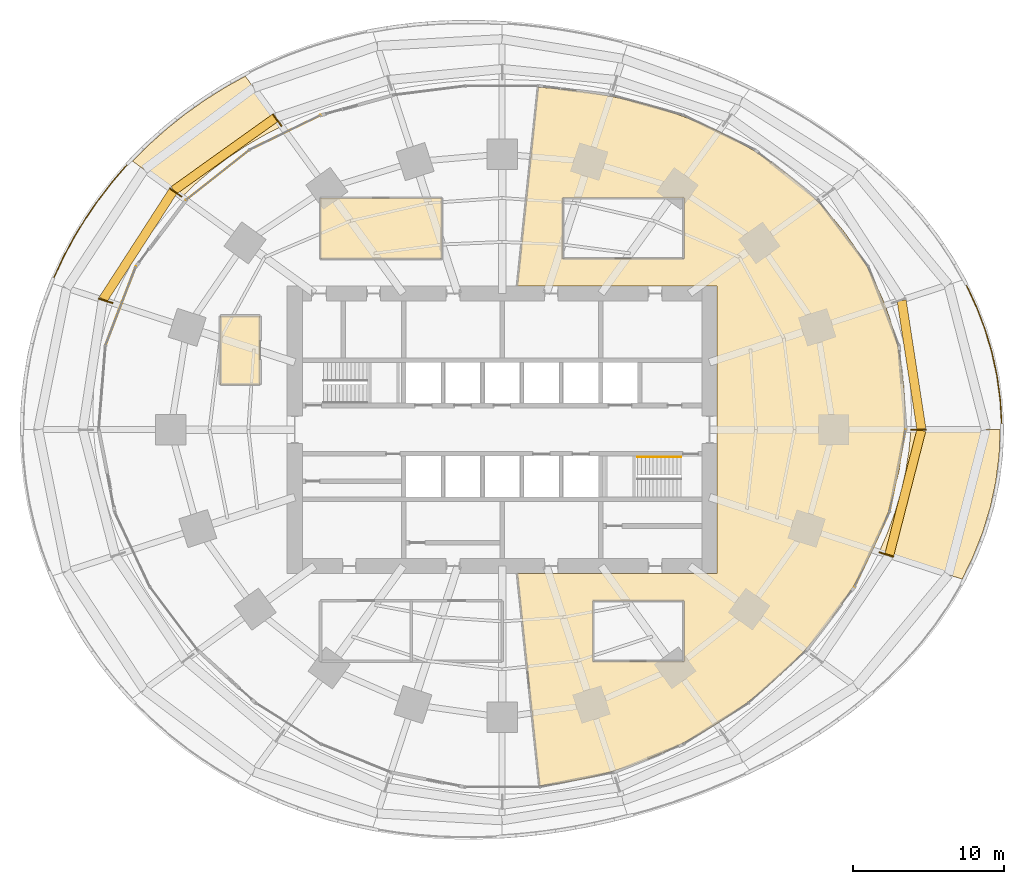
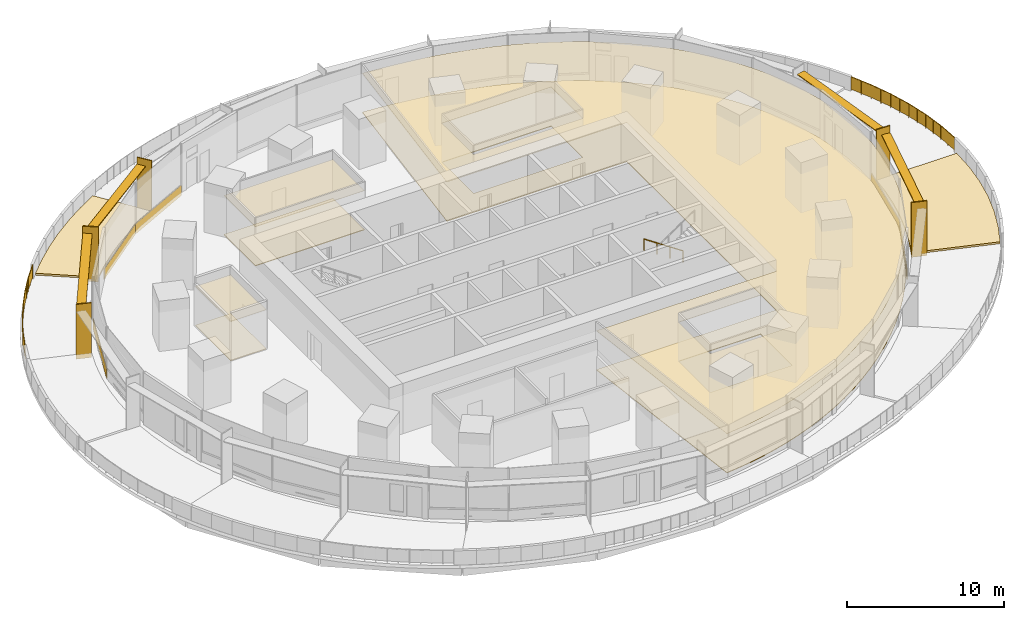
# One storey, part 19 of 20: 13 coverings, 9 shading devices, 3 railings.
"""IFC4 building model written with IfcOpenShell, lengths in metres."""

from ifc_helpers import new_model, si_unit, direction, frame, origin, origin_2d, place, context, subcontext, project, spatial, polyline, rectangle, circle, outline, extrude, material, layer, layer_set, type_object, element, save


model = new_model("IFC4")

# Units and contexts
model_context = context("Model", 3, precision=1e-05, world=origin(), true_north=direction((0.0, 1.0)))
body_context = subcontext(model_context, "Body", "Model", "MODEL_VIEW")
ifc_project = project(units=[si_unit("LENGTHUNIT", "METRE"), si_unit("AREAUNIT", "SQUARE_METRE"), si_unit("VOLUMEUNIT", "CUBIC_METRE"), si_unit("PLANEANGLEUNIT", "RADIAN"), si_unit("MASSUNIT", "GRAM", prefix="KILO")], contexts=[model_context])

# Site, building, storey
site_placement = place(None, origin())
site = spatial("IfcSite", under=ifc_project, at=site_placement, CompositionType="ELEMENT")
building_placement = place(site_placement, origin())
building = spatial("IfcBuilding", under=site, at=building_placement, Name="Marramba Exchange Tower", CompositionType="ELEMENT")
storey_placement = place(building_placement, frame((0.0, 0.0, 19.60009765625)))
storey = spatial("IfcBuildingStorey", under=building, at=storey_placement, Name="L04", CompositionType="ELEMENT", Elevation=19.60009765625)

# Shading devices
ifc_material_1 = material(Name="Aluminium blade, timber-look bronze finish", Category="wood")
ifc_layer_1 = layer(ifc_material_1, 0.080078125)
ifc_layer_set_1 = layer_set([ifc_layer_1], Name="Floor-edge blade 1000x80")
shading_device_type_1 = type_object("IfcShadingDeviceType", Name="Floor-edge blade 1000x80", PredefinedType="USERDEFINED", material=ifc_layer_set_1)
for number, where, z_axis, x_axis, name in (
    (1, (27.5, 0.0, -0.2001953125), (0.0, 0.0, 1.0), (1.0, 0.0, 0.0), "Floor-edge blade FB1 L04 TC01"),
    (2, (-14.857666015625, 20.449951171875, -0.2001953125), (0.0, 0.0, 1.0), (-0.587785252292, 0.809016994375, 0.0), "Floor-edge blade FB1 L04 TC08"),
    (3, (-21.56298828125, 15.66650390625, -0.2001953125), (0.0, 0.0, 1.0), (-0.809016994375, 0.587785252292, 0.0), "Floor-edge blade FB1 L04 TC09"),
    (4, (-26.193115234375, 8.5107421875, -0.2001953125), (0.0, 0.0, 1.0), (-0.951056516295, 0.309016994375, 0.0), "Floor-edge blade FB1 L04 TC10"),
    (5, (25.3740234375, -8.24462890625, -0.2001953125), (0.0, 0.0, 1.0), (0.951056516295, -0.309016994375, 0.0), "Floor-edge blade FB1 L04 TC20"),
):
    element("IfcShadingDevice", number, at=place(storey_placement, frame(where, z_axis=z_axis, x_axis=x_axis)), inside=storey, type_object=shading_device_type_1, Name=name, ObjectType="FIN", PredefinedType="USERDEFINED", context=body_context, shape_type="SweptSolid", body=[
        extrude(rectangle(XDim=1.0, YDim=0.080078125, at=origin_2d()), origin(), (0.0, 0.0, 1.0), 4.239990234375),
    ])

# Coverings
ifc_material_2 = material(Name="Extensive green roof: growing medium on drainage cell, filter fabric and root-barrier membrane")
ifc_layer_2 = layer(ifc_material_2, 0.14990234375)
ifc_layer_set_2 = layer_set([ifc_layer_2], Name="Planted roof build-up 150")
covering_type_1 = type_object("IfcCoveringType", Name="Planted roof build-up 150", PredefinedType="ROOFING", material=ifc_layer_set_2)
covering_1_placement = place(storey_placement, origin())
element("IfcCovering", 6, at=covering_1_placement, inside=storey, type_object=covering_type_1, Name="Planted roof build-up L04 bay 08", PredefinedType="ROOFING", context=body_context, shape_type="SweptSolid", body=[
    extrude(outline(polyline([(-14.563720703125, 20.04541015625), (-15.740478515625, 19.437744140625), (-16.89453125, 18.763427734375), (-18.020263671875, 18.020263671875), (-19.11083984375, 17.20751953125), (-20.159423828125, 16.32470703125), (-21.158447265625, 15.37255859375), (-24.413330078125, 17.7373046875), (-23.2900390625, 18.85986328125), (-22.112060546875, 19.90966796875), (-20.885009765625, 20.885009765625), (-19.61474609375, 21.784423828125), (-18.306884765625, 22.607177734375), (-16.967041015625, 23.35302734375), (-16.967041015625, 23.35302734375), (-14.563720703125, 20.04541015625)])), origin(), (0.0, 0.0, 1.0), 0.14990234375),
])
covering_2_placement = place(storey_placement, origin())
element("IfcCovering", 7, at=covering_2_placement, inside=storey, type_object=covering_type_1, Name="Planted roof build-up L04 bay 20", PredefinedType="ROOFING", context=body_context, shape_type="SweptSolid", body=[
    extrude(outline(polyline([(24.8984375, -8.090087890625), (25.44921875, -6.819091796875), (25.927001953125, -5.510986328125), (26.326171875, -4.169677734375), (26.64111328125, -2.800048828125), (26.8671875, -1.407958984375), (27.0, 0.0), (32.89990234375, 0.0), (32.82666015625, -1.720458984375), (32.607666015625, -3.42724609375), (32.2470703125, -5.107421875), (31.750732421875, -6.748779296875), (31.126953125, -8.34033203125), (30.385498046875, -9.872802734375), (24.8984375, -8.090087890625)])), origin(), (0.0, 0.0, 1.0), 0.14990234375),
])
ifc_material_3 = material(Name="Steel raised access floor panels", Category="steel")
ifc_layer_3 = layer(ifc_material_3, 0.050048828125)
ifc_layer_set_3 = layer_set([ifc_layer_3], Name="Raised access floor 300")
covering_type_2 = type_object("IfcCoveringType", Name="Raised access floor 300", PredefinedType="FLOORING", material=ifc_layer_set_3)
covering_3_placement = place(storey_placement, frame((0.0, 0.0, 0.25)))
element("IfcCovering", 8, at=covering_3_placement, inside=storey, type_object=covering_type_2, Name="Raised access floor RAF1 L04 Market Operations Office", PredefinedType="FLOORING", context=body_context, shape_type="SweptSolid", body=[
    extrude(outline(polyline([(14.199951171875, 9.5), (0.99853515625, 9.5), (2.378173828125, 22.62646484375), (3.5693359375, 22.535888671875), (4.7626953125, 22.406982421875), (5.95849609375, 22.23779296875), (7.15673828125, 22.0263671875), (8.356689453125, 21.76953125), (9.556640625, 21.464599609375), (10.755126953125, 21.10791015625), (11.94921875, 20.69677734375), (13.135986328125, 20.2275390625), (14.31103515625, 19.697509765625), (15.4697265625, 19.103759765625), (16.60693359375, 18.44384765625), (17.71630859375, 17.71630859375), (18.791259765625, 16.919677734375), (19.8251953125, 16.05419921875), (20.810791015625, 15.119873046875), (21.740478515625, 14.118408203125), (22.607177734375, 13.05224609375), (23.40380859375, 11.9248046875), (24.12353515625, 10.740478515625), (24.76025390625, 9.50439453125), (25.30859375, 8.22314453125), (25.763916015625, 6.9033203125), (26.123291015625, 5.552734375), (26.3837890625, 4.1787109375), (26.544921875, 2.7900390625), (26.6064453125, 1.394287109375), (26.570068359375, 0.0), (26.43798828125, -1.385498046875), (26.213623046875, -2.755126953125), (25.9013671875, -4.102294921875), (25.50634765625, -5.421630859375), (25.033935546875, -6.707763671875), (24.489501953125, -7.95703125), (23.879150390625, -9.166259765625), (23.208251953125, -10.3330078125), (22.482177734375, -11.455322265625), (21.7060546875, -12.531982421875), (20.88427734375, -13.5625), (20.020751953125, -14.5458984375), (19.119384765625, -15.482421875), (18.1826171875, -16.371826171875), (17.213623046875, -17.213623046875), (16.21435546875, -18.0078125), (15.1865234375, -18.75390625), (14.132080078125, -19.451171875), (13.052490234375, -20.09912109375), (11.94921875, -20.69677734375), (10.82373046875, -21.242919921875), (9.677734375, -21.736328125), (8.512451171875, -22.17578125), (7.330078125, -22.56005859375), (6.1328125, -22.8876953125), (4.92236328125, -23.15771484375), (3.701416015625, -23.368896484375), (2.47216796875, -23.5205078125), (0.99853515625, -9.5), (14.199951171875, -9.5), (14.199951171875, 9.5)]), holes=[polyline([(12.0, -15.300048828125), (12.0, -11.300048828125), (6.0, -11.300048828125), (6.0, -15.300048828125), (12.0, -15.300048828125)]), polyline([(12.0, 11.300048828125), (12.0, 15.300048828125), (4.0, 15.300048828125), (4.0, 11.300048828125), (12.0, 11.300048828125)])]), origin(), (0.0, 0.0, 1.0), 0.0498046875),
])
covering_4_placement = place(storey_placement, frame((0.0, 0.0, 0.25)))
element("IfcCovering", 9, at=covering_4_placement, inside=storey, type_object=covering_type_2, Name="Raised access floor RAF1 L04 Market Surveillance Office", PredefinedType="FLOORING", context=body_context, shape_type="SweptSolid", body=[
    extrude(outline(polyline([(-4.0, 11.300048828125), (-12.0, 11.300048828125), (-12.0, 15.300048828125), (-4.0, 15.300048828125), (-4.0, 11.300048828125)])), origin(), (0.0, 0.0, 1.0), 0.0498046875),
])
covering_5_placement = place(storey_placement, frame((0.0, 0.0, 0.25)))
element("IfcCovering", 10, at=covering_5_placement, inside=storey, type_object=covering_type_2, Name="Raised access floor RAF1 L04 Data Room", PredefinedType="FLOORING", context=body_context, shape_type="SweptSolid", body=[
    extrude(outline(polyline([(-16.0, 3.0), (-18.60009765625, 3.0), (-18.60009765625, 7.5), (-16.0, 7.5), (-16.0, 3.0)])), origin(), (0.0, 0.0, 1.0), 0.0498046875),
])

# Shading devices
ifc_material_4 = material(Name="Aluminium sunshade, bronze anodised", Category="aluminium")
ifc_layer_4 = layer(ifc_material_4, 0.06005859375)
ifc_layer_set_4 = layer_set([ifc_layer_4], Name="SUNSHADE blade 600x60")
shading_device_type_2 = type_object("IfcShadingDeviceType", Name="SUNSHADE blade 600x60", PredefinedType="USERDEFINED", material=ifc_layer_set_4)
shading_device_1_placement = place(storey_placement, frame((27.04150390625, 4.2861328125, 3.4599609375), z_axis=(0.0, 0.0, 1.0), x_axis=(-0.151825486228, 0.988407315701, 0.0)))
element("IfcShadingDevice", 11, at=shading_device_1_placement, inside=storey, type_object=shading_device_type_2, Name="Sunshade SS1 L04 bay 01", ObjectType="SUNSHADE", PredefinedType="USERDEFINED", context=body_context, shape_type="SweptSolid", body=[
    extrude(rectangle(XDim=8.593017578125, YDim=0.60009765625, at=origin_2d()), origin(), (0.0, 0.0, 1.0), 0.06005859375),
])
shading_device_2_placement = place(storey_placement, frame((-18.35009765625, 18.19775390625, 3.4599609375), z_axis=(0.0, 0.0, 1.0), x_axis=(-0.813362978246, -0.581756534659, 0.0)))
element("IfcShadingDevice", 12, at=shading_device_2_placement, inside=storey, type_object=shading_device_type_2, Name="Sunshade SS1 L04 bay 08", ObjectType="SUNSHADE", PredefinedType="USERDEFINED", context=body_context, shape_type="SweptSolid", body=[
    extrude(rectangle(XDim=8.218505859375, YDim=0.60009765625, at=origin_2d()), origin(), (0.0, 0.0, 1.0), 0.06005859375),
])
shading_device_3_placement = place(storey_placement, frame((-24.053955078125, 12.17822265625, 3.4599609375), z_axis=(0.0, 0.0, 1.0), x_axis=(-0.542596596948, -0.839993412462, 0.0)))
element("IfcShadingDevice", 13, at=shading_device_3_placement, inside=storey, type_object=shading_device_type_2, Name="Sunshade SS1 L04 bay 09", ObjectType="SUNSHADE", PredefinedType="USERDEFINED", context=body_context, shape_type="SweptSolid", body=[
    extrude(rectangle(XDim=8.50537109375, YDim=0.60009765625, at=origin_2d()), origin(), (0.0, 0.0, 1.0), 0.06005859375),
])
shading_device_4_placement = place(storey_placement, frame((26.632080078125, -4.153076171875, 3.4599609375), z_axis=(0.0, 0.0, 1.0), x_axis=(0.249024641331, 0.968497149201, 0.0)))
element("IfcShadingDevice", 14, at=shading_device_4_placement, inside=storey, type_object=shading_device_type_2, Name="Sunshade SS1 L04 bay 20", ObjectType="SUNSHADE", PredefinedType="USERDEFINED", context=body_context, shape_type="SweptSolid", body=[
    extrude(rectangle(XDim=8.49658203125, YDim=0.60009765625, at=origin_2d()), origin(), (0.0, 0.0, 1.0), 0.06005859375),
])

# Coverings
ifc_material_5 = material(Name="Aluminium spandrel panel, bronze anodised, insulated", Category="aluminium")
ifc_layer_5 = layer(ifc_material_5, 0.050048828125)
ifc_layer_set_5 = layer_set([ifc_layer_5], Name="Spandrel panel 800")
covering_type_3 = type_object("IfcCoveringType", Name="Spandrel panel 800", PredefinedType="CLADDING", material=ifc_layer_set_5)
covering_6_placement = place(storey_placement, frame((-14.324951171875, 19.634765625, 0.0), z_axis=(0.0, 0.0, 1.0), x_axis=(-0.899963432359, -0.435965389012, 0.0)))
element("IfcCovering", 15, at=covering_6_placement, inside=storey, type_object=covering_type_3, Name="Spandrel panel SP1 L04 F11", PredefinedType="CLADDING", context=body_context, shape_type="SweptSolid", body=[
    extrude(rectangle(XDim=5.1904296875, YDim=0.050048828125, at=origin_2d()), origin(), (0.0, 0.0, 1.0), 0.800048828125),
])
covering_7_placement = place(storey_placement, frame((-18.767822265625, 16.8349609375, 0.0), z_axis=(0.0, 0.0, 1.0), x_axis=(-0.784087946735, -0.620649733574, 0.0)))
element("IfcCovering", 16, at=covering_7_placement, inside=storey, type_object=covering_type_3, Name="Spandrel panel SP1 L04 F12", PredefinedType="CLADDING", context=body_context, shape_type="SweptSolid", body=[
    extrude(rectangle(XDim=5.375732421875, YDim=0.050048828125, at=origin_2d()), origin(), (0.0, 0.0, 1.0), 0.800048828125),
])
covering_8_placement = place(storey_placement, frame((-25.198974609375, 8.171142578125, 0.0), z_axis=(0.0, 0.0, 1.0), x_axis=(-0.359525512701, -0.933135255854, 0.0)))
element("IfcCovering", 17, at=covering_8_placement, inside=storey, type_object=covering_type_3, Name="Spandrel panel SP1 L04 F14", PredefinedType="CLADDING", context=body_context, shape_type="SweptSolid", body=[
    extrude(rectangle(XDim=5.57666015625, YDim=0.050048828125, at=origin_2d()), origin(), (0.0, 0.0, 1.0), 0.800048828125),
])
covering_9_placement = place(storey_placement, frame((24.432861328125, -7.90185546875, 0.0), z_axis=(0.0, 0.0, 1.0), x_axis=(0.423477213559, 0.905906755464, 0.0)))
element("IfcCovering", 18, at=covering_9_placement, inside=storey, type_object=covering_type_3, Name="Spandrel panel SP1 L04 F29", PredefinedType="CLADDING", context=body_context, shape_type="SweptSolid", body=[
    extrude(rectangle(XDim=5.439208984375, YDim=0.050048828125, at=origin_2d()), origin(), (0.0, 0.0, 1.0), 0.800048828125),
])
covering_10_placement = place(storey_placement, frame((26.117431640625, -2.718994140625, 0.0), z_axis=(0.0, 0.0, 1.0), x_axis=(0.19224858127, 0.981346260501, 0.0)))
element("IfcCovering", 19, at=covering_10_placement, inside=storey, type_object=covering_type_3, Name="Spandrel panel SP1 L04 F30", PredefinedType="CLADDING", context=body_context, shape_type="SweptSolid", body=[
    extrude(rectangle(XDim=5.54150390625, YDim=0.050048828125, at=origin_2d()), origin(), (0.0, 0.0, 1.0), 0.800048828125),
])

# Railing
ifc_material_6 = material(Name="Stainless steel handrail", Category="steel")
railing_type_1 = type_object("IfcRailingType", Name="Stair handrail 900", PredefinedType="HANDRAIL", material=ifc_material_6)
railing_1_placement = place(storey_placement, frame((11.800048828125, -1.800048828125, 0.1748046875)))
element("IfcRailing", 20, at=railing_1_placement, inside=storey, type_object=railing_type_1, Name="Handrail HR1 ST2 L04 flight 1", PredefinedType="HANDRAIL", context=body_context, shape_type="SweptSolid", body=[
    extrude(circle(Radius=0.02392578125, at=origin_2d()), frame((0.0, 0.0, 0.8759765625), z_axis=(-0.829590901723, 0.0, 0.558371682465), x_axis=(0.0, -1.0, 0.0)), (0.0, 0.0, 1.0), 3.447509765625),
    extrude(circle(Radius=0.02099609375, at=origin_2d()), origin(), (0.0, 0.0, 1.0), 0.851806640625),
    extrude(circle(Radius=0.02099609375, at=origin_2d()), frame((-0.953369140625, 0.0, 0.6416015625)), (0.0, 0.0, 1.0), 0.851806640625),
    extrude(circle(Radius=0.02099609375, at=origin_2d()), frame((-1.90673828125, 0.0, 1.283447265625)), (0.0, 0.0, 1.0), 0.851806640625),
    extrude(circle(Radius=0.02099609375, at=origin_2d()), frame((-2.860107421875, 0.0, 1.925048828125)), (0.0, 0.0, 1.0), 0.851806640625),
])

# Coverings
ifc_material_7 = material(Name="Mineral fibre ceiling tiles", Category="gypsum")
ifc_layer_6 = layer(ifc_material_7, 0.02001953125)
ifc_layer_set_6 = layer_set([ifc_layer_6], Name="Suspended ceiling 20")
covering_type_4 = type_object("IfcCoveringType", Name="Suspended ceiling 20", PredefinedType="CEILING", material=ifc_layer_set_6)
covering_11_placement = place(storey_placement, frame((0.0, 0.0, 3.2998046875)))
element("IfcCovering", 21, at=covering_11_placement, inside=storey, type_object=covering_type_4, Name="Ceiling CL1 L04 Market Operations Office", PredefinedType="CEILING", context=body_context, shape_type="SweptSolid", body=[
    extrude(outline(polyline([(14.199951171875, 9.5), (0.99853515625, 9.5), (2.378173828125, 22.62646484375), (3.5693359375, 22.535888671875), (4.7626953125, 22.406982421875), (5.95849609375, 22.23779296875), (7.15673828125, 22.0263671875), (8.356689453125, 21.76953125), (9.556640625, 21.464599609375), (10.755126953125, 21.10791015625), (11.94921875, 20.69677734375), (13.135986328125, 20.2275390625), (14.31103515625, 19.697509765625), (15.4697265625, 19.103759765625), (16.60693359375, 18.44384765625), (17.71630859375, 17.71630859375), (18.791259765625, 16.919677734375), (19.8251953125, 16.05419921875), (20.810791015625, 15.119873046875), (21.740478515625, 14.118408203125), (22.607177734375, 13.05224609375), (23.40380859375, 11.9248046875), (24.12353515625, 10.740478515625), (24.76025390625, 9.50439453125), (25.30859375, 8.22314453125), (25.763916015625, 6.9033203125), (26.123291015625, 5.552734375), (26.3837890625, 4.1787109375), (26.544921875, 2.7900390625), (26.6064453125, 1.394287109375), (26.570068359375, 0.0), (26.43798828125, -1.385498046875), (26.213623046875, -2.755126953125), (25.9013671875, -4.102294921875), (25.50634765625, -5.421630859375), (25.033935546875, -6.707763671875), (24.489501953125, -7.95703125), (23.879150390625, -9.166259765625), (23.208251953125, -10.3330078125), (22.482177734375, -11.455322265625), (21.7060546875, -12.531982421875), (20.88427734375, -13.5625), (20.020751953125, -14.5458984375), (19.119384765625, -15.482421875), (18.1826171875, -16.371826171875), (17.213623046875, -17.213623046875), (16.21435546875, -18.0078125), (15.1865234375, -18.75390625), (14.132080078125, -19.451171875), (13.052490234375, -20.09912109375), (11.94921875, -20.69677734375), (10.82373046875, -21.242919921875), (9.677734375, -21.736328125), (8.512451171875, -22.17578125), (7.330078125, -22.56005859375), (6.1328125, -22.8876953125), (4.92236328125, -23.15771484375), (3.701416015625, -23.368896484375), (2.47216796875, -23.5205078125), (0.99853515625, -9.5), (14.199951171875, -9.5), (14.199951171875, 9.5)]), holes=[polyline([(12.0, -15.300048828125), (12.0, -11.300048828125), (6.0, -11.300048828125), (6.0, -15.300048828125), (12.0, -15.300048828125)]), polyline([(12.0, 11.300048828125), (12.0, 15.300048828125), (4.0, 15.300048828125), (4.0, 11.300048828125), (12.0, 11.300048828125)])]), origin(), (0.0, 0.0, 1.0), 0.02001953125),
])
covering_12_placement = place(storey_placement, frame((0.0, 0.0, 3.2998046875)))
element("IfcCovering", 22, at=covering_12_placement, inside=storey, type_object=covering_type_4, Name="Ceiling CL1 L04 Market Surveillance Office", PredefinedType="CEILING", context=body_context, shape_type="SweptSolid", body=[
    extrude(outline(polyline([(-4.0, 11.300048828125), (-12.0, 11.300048828125), (-12.0, 15.300048828125), (-4.0, 15.300048828125), (-4.0, 11.300048828125)])), origin(), (0.0, 0.0, 1.0), 0.02001953125),
])
covering_13_placement = place(storey_placement, frame((0.0, 0.0, 3.2998046875)))
element("IfcCovering", 23, at=covering_13_placement, inside=storey, type_object=covering_type_4, Name="Ceiling CL1 L04 Data Room", PredefinedType="CEILING", context=body_context, shape_type="SweptSolid", body=[
    extrude(outline(polyline([(-16.0, 3.0), (-18.60009765625, 3.0), (-18.60009765625, 7.5), (-16.0, 7.5), (-16.0, 3.0)])), origin(), (0.0, 0.0, 1.0), 0.02001953125),
])

# Railings
ifc_material_8 = material(Name="Bronze anodised aluminium and laminated glass guard", Category="aluminium")
railing_type_2 = type_object("IfcRailingType", Name="Terrace guard 1100", PredefinedType="GUARDRAIL", material=ifc_material_8)
railing_2_placement = place(storey_placement, frame((32.99609375, 0.398193359375, 0.0)))
element("IfcRailing", 24, at=railing_2_placement, inside=storey, type_object=railing_type_2, Name="Terrace guard GR1 L04 bay 01", PredefinedType="GUARDRAIL", context=body_context, shape_type="SweptSolid", body=[
    extrude(circle(Radius=0.02392578125, at=origin_2d()), frame((0.0, 0.0, 1.076171875), z_axis=(-0.058874812399, 0.998265373768, 0.0), x_axis=(-0.998265373768, -0.058874812399, 0.0)), (0.0, 0.0, 1.0), 1.59228515625),
    extrude(circle(Radius=0.02392578125, at=origin_2d()), frame((-0.09375, 1.589599609375, 1.076171875), z_axis=(-0.136523198806, 0.99063687403, 0.0), x_axis=(-0.99063687403, -0.136523198806, 0.0)), (0.0, 0.0, 1.0), 1.591552734375),
    extrude(circle(Radius=0.02392578125, at=origin_2d()), frame((-0.31103515625, 3.166259765625, 1.076171875), z_axis=(-0.212601832945, 0.977138915727, 0.0), x_axis=(-0.977138915727, -0.212601832945, 0.0)), (0.0, 0.0, 1.0), 1.58935546875),
    extrude(circle(Radius=0.02392578125, at=origin_2d()), frame((-0.64892578125, 4.71923828125, 1.076171875), z_axis=(-0.285822479582, 0.95828258367, 0.0), x_axis=(-0.95828258367, -0.285822479582, 0.0)), (0.0, 0.0, 1.0), 1.586181640625),
    extrude(circle(Radius=0.02392578125, at=origin_2d()), frame((-1.102294921875, 6.2392578125, 1.076171875), z_axis=(-0.355635850829, 0.934624599294, 0.0), x_axis=(-0.934624599294, -0.355635850829, 0.0)), (0.0, 0.0, 1.0), 1.581787109375),
    extrude(circle(Radius=0.02392578125, at=origin_2d()), frame((-1.664794921875, 7.717529296875, 1.076171875), z_axis=(-0.421561898002, 0.906799628448, 0.0), x_axis=(-0.906799628448, -0.421561898002, 0.0)), (0.0, 0.0, 1.0), 1.575927734375),
    extrude(circle(Radius=0.02099609375, at=origin_2d()), origin(), (0.0, 0.0, 1.0), 1.052001953125),
    extrude(circle(Radius=0.02099609375, at=origin_2d()), frame((-0.046875, 0.794921875, 0.0)), (0.0, 0.0, 1.0), 1.052001953125),
    extrude(circle(Radius=0.02099609375, at=origin_2d()), frame((-0.09375, 1.589599609375, 0.0)), (0.0, 0.0, 1.0), 1.052001953125),
    extrude(circle(Radius=0.02099609375, at=origin_2d()), frame((-0.202392578125, 2.3779296875, 0.0)), (0.0, 0.0, 1.0), 1.052001953125),
    extrude(circle(Radius=0.02099609375, at=origin_2d()), frame((-0.31103515625, 3.166259765625, 0.0)), (0.0, 0.0, 1.0), 1.052001953125),
    extrude(circle(Radius=0.02099609375, at=origin_2d()), frame((-0.47998046875, 3.94287109375, 0.0)), (0.0, 0.0, 1.0), 1.052001953125),
    extrude(circle(Radius=0.02099609375, at=origin_2d()), frame((-0.64892578125, 4.71923828125, 0.0)), (0.0, 0.0, 1.0), 1.052001953125),
    extrude(circle(Radius=0.02099609375, at=origin_2d()), frame((-0.87548828125, 5.479248046875, 0.0)), (0.0, 0.0, 1.0), 1.052001953125),
    extrude(circle(Radius=0.02099609375, at=origin_2d()), frame((-1.102294921875, 6.2392578125, 0.0)), (0.0, 0.0, 1.0), 1.052001953125),
    extrude(circle(Radius=0.02099609375, at=origin_2d()), frame((-1.383544921875, 6.978515625, 0.0)), (0.0, 0.0, 1.0), 1.052001953125),
    extrude(circle(Radius=0.02099609375, at=origin_2d()), frame((-1.664794921875, 7.717529296875, 0.0)), (0.0, 0.0, 1.0), 1.052001953125),
    extrude(circle(Radius=0.02099609375, at=origin_2d()), frame((-1.9970703125, 8.43212890625, 0.0)), (0.0, 0.0, 1.0), 1.052001953125),
    extrude(circle(Radius=0.02099609375, at=origin_2d()), frame((-2.3291015625, 9.146484375, 0.0)), (0.0, 0.0, 1.0), 1.052001953125),
    extrude(rectangle(XDim=0.778076171875, YDim=0.02001953125, at=origin_2d()), frame((-0.0234375, 0.3974609375, 0.10009765625), z_axis=(0.0, 0.0, 1.0), x_axis=(-0.058874812399, 0.998265373768, 0.0)), (0.0, 0.0, 1.0), 0.951904296875),
    extrude(rectangle(XDim=0.778076171875, YDim=0.02001953125, at=origin_2d()), frame((-0.0703125, 1.192138671875, 0.10009765625), z_axis=(0.0, 0.0, 1.0), x_axis=(-0.058874812399, 0.998265373768, 0.0)), (0.0, 0.0, 1.0), 0.951904296875),
    extrude(rectangle(XDim=0.77783203125, YDim=0.02001953125, at=origin_2d()), frame((-0.14794921875, 1.98388671875, 0.10009765625), z_axis=(0.0, 0.0, 1.0), x_axis=(-0.136523198806, 0.99063687403, 0.0)), (0.0, 0.0, 1.0), 0.951904296875),
    extrude(rectangle(XDim=0.77783203125, YDim=0.02001953125, at=origin_2d()), frame((-0.2568359375, 2.77197265625, 0.10009765625), z_axis=(0.0, 0.0, 1.0), x_axis=(-0.136523198806, 0.99063687403, 0.0)), (0.0, 0.0, 1.0), 0.951904296875),
    extrude(rectangle(XDim=0.776611328125, YDim=0.02001953125, at=origin_2d()), frame((-0.3955078125, 3.554443359375, 0.10009765625), z_axis=(0.0, 0.0, 1.0), x_axis=(-0.212601832945, 0.977138915727, 0.0)), (0.0, 0.0, 1.0), 0.951904296875),
    extrude(rectangle(XDim=0.776611328125, YDim=0.02001953125, at=origin_2d()), frame((-0.564453125, 4.3310546875, 0.10009765625), z_axis=(0.0, 0.0, 1.0), x_axis=(-0.212601832945, 0.977138915727, 0.0)), (0.0, 0.0, 1.0), 0.951904296875),
    extrude(rectangle(XDim=0.775146484375, YDim=0.02001953125, at=origin_2d()), frame((-0.76220703125, 5.09912109375, 0.10009765625), z_axis=(0.0, 0.0, 1.0), x_axis=(-0.285822479582, 0.95828258367, 0.0)), (0.0, 0.0, 1.0), 0.951904296875),
    extrude(rectangle(XDim=0.775146484375, YDim=0.02001953125, at=origin_2d()), frame((-0.989013671875, 5.859375, 0.10009765625), z_axis=(0.0, 0.0, 1.0), x_axis=(-0.285822479582, 0.95828258367, 0.0)), (0.0, 0.0, 1.0), 0.951904296875),
    extrude(rectangle(XDim=0.77294921875, YDim=0.02001953125, at=origin_2d()), frame((-1.242919921875, 6.60888671875, 0.10009765625), z_axis=(0.0, 0.0, 1.0), x_axis=(-0.355635850829, 0.934624599294, 0.0)), (0.0, 0.0, 1.0), 0.951904296875),
    extrude(rectangle(XDim=0.77294921875, YDim=0.02001953125, at=origin_2d()), frame((-1.524169921875, 7.347900390625, 0.10009765625), z_axis=(0.0, 0.0, 1.0), x_axis=(-0.355635850829, 0.934624599294, 0.0)), (0.0, 0.0, 1.0), 0.951904296875),
    extrude(rectangle(XDim=0.77001953125, YDim=0.02001953125, at=origin_2d()), frame((-1.830810546875, 8.07470703125, 0.10009765625), z_axis=(0.0, 0.0, 1.0), x_axis=(-0.421561898002, 0.906799628448, 0.0)), (0.0, 0.0, 1.0), 0.951904296875),
    extrude(rectangle(XDim=0.77001953125, YDim=0.02001953125, at=origin_2d()), frame((-2.1630859375, 8.789306640625, 0.10009765625), z_axis=(0.0, 0.0, 1.0), x_axis=(-0.421561898002, 0.906799628448, 0.0)), (0.0, 0.0, 1.0), 0.951904296875),
])
railing_3_placement = place(storey_placement, frame((-24.767578125, 17.501953125, 0.0)))
element("IfcRailing", 25, at=railing_3_placement, inside=storey, type_object=railing_type_2, Name="Terrace guard GR1 L04 bay 09", PredefinedType="GUARDRAIL", context=body_context, shape_type="SweptSolid", body=[
    extrude(circle(Radius=0.02392578125, at=origin_2d()), frame((0.0, 0.0, 1.076171875), z_axis=(-0.655447884894, -0.755240405558, 0.0), x_axis=(0.755240405558, -0.655447884894, 0.0)), (0.0, 0.0, 1.0), 1.472900390625),
    extrude(circle(Radius=0.02392578125, at=origin_2d()), frame((-0.96533203125, -1.1123046875, 1.076171875), z_axis=(-0.613609393124, -0.789609721743, 0.0), x_axis=(0.789609721743, -0.613609393124, 0.0)), (0.0, 0.0, 1.0), 1.47998046875),
    extrude(circle(Radius=0.02392578125, at=origin_2d()), frame((-1.87353515625, -2.281005859375, 1.076171875), z_axis=(-0.569312411248, -0.822121267453, 0.0), x_axis=(0.822121267453, -0.569312411248, 0.0)), (0.0, 0.0, 1.0), 1.4873046875),
    extrude(circle(Radius=0.02392578125, at=origin_2d()), frame((-2.72021484375, -3.503662109375, 1.076171875), z_axis=(-0.522573556781, -0.852594204621, 0.0), x_axis=(0.852594204621, -0.522573556781, 0.0)), (0.0, 0.0, 1.0), 1.49365234375),
    extrude(circle(Radius=0.02392578125, at=origin_2d()), frame((-3.500732421875, -4.777099609375, 1.076171875), z_axis=(-0.473458903118, -0.880815909858, 0.0), x_axis=(0.880815909858, -0.473458903118, 0.0)), (0.0, 0.0, 1.0), 1.49951171875),
    extrude(circle(Radius=0.02392578125, at=origin_2d()), frame((-4.210693359375, -6.097900390625, 1.076171875), z_axis=(-0.422379057539, -0.906419291362, 0.0), x_axis=(0.906419291362, -0.422379057539, 0.0)), (0.0, 0.0, 1.0), 1.504638671875),
    extrude(circle(Radius=0.02099609375, at=origin_2d()), origin(), (0.0, 0.0, 1.0), 1.052001953125),
    extrude(circle(Radius=0.02099609375, at=origin_2d()), frame((-0.482666015625, -0.55615234375, 0.0)), (0.0, 0.0, 1.0), 1.052001953125),
    extrude(circle(Radius=0.02099609375, at=origin_2d()), frame((-0.96533203125, -1.1123046875, 0.0)), (0.0, 0.0, 1.0), 1.052001953125),
    extrude(circle(Radius=0.02099609375, at=origin_2d()), frame((-1.41943359375, -1.69677734375, 0.0)), (0.0, 0.0, 1.0), 1.052001953125),
    extrude(circle(Radius=0.02099609375, at=origin_2d()), frame((-1.87353515625, -2.281005859375, 0.0)), (0.0, 0.0, 1.0), 1.052001953125),
    extrude(circle(Radius=0.02099609375, at=origin_2d()), frame((-2.296875, -2.892333984375, 0.0)), (0.0, 0.0, 1.0), 1.052001953125),
    extrude(circle(Radius=0.02099609375, at=origin_2d()), frame((-2.72021484375, -3.503662109375, 0.0)), (0.0, 0.0, 1.0), 1.052001953125),
    extrude(circle(Radius=0.02099609375, at=origin_2d()), frame((-3.1103515625, -4.140380859375, 0.0)), (0.0, 0.0, 1.0), 1.052001953125),
    extrude(circle(Radius=0.02099609375, at=origin_2d()), frame((-3.500732421875, -4.777099609375, 0.0)), (0.0, 0.0, 1.0), 1.052001953125),
    extrude(circle(Radius=0.02099609375, at=origin_2d()), frame((-3.855712890625, -5.4375, 0.0)), (0.0, 0.0, 1.0), 1.052001953125),
    extrude(circle(Radius=0.02099609375, at=origin_2d()), frame((-4.210693359375, -6.097900390625, 0.0)), (0.0, 0.0, 1.0), 1.052001953125),
    extrude(circle(Radius=0.02099609375, at=origin_2d()), frame((-4.5283203125, -6.77978515625, 0.0)), (0.0, 0.0, 1.0), 1.052001953125),
    extrude(circle(Radius=0.02099609375, at=origin_2d()), frame((-4.84619140625, -7.461669921875, 0.0)), (0.0, 0.0, 1.0), 1.052001953125),
    extrude(rectangle(XDim=0.718505859375, YDim=0.02001953125, at=origin_2d()), frame((-0.2412109375, -0.278076171875, 0.10009765625), z_axis=(0.0, 0.0, 1.0), x_axis=(-0.655447884894, -0.755240405558, 0.0)), (0.0, 0.0, 1.0), 0.951904296875),
    extrude(rectangle(XDim=0.718505859375, YDim=0.02001953125, at=origin_2d()), frame((-0.72412109375, -0.834228515625, 0.10009765625), z_axis=(0.0, 0.0, 1.0), x_axis=(-0.655447884894, -0.755240405558, 0.0)), (0.0, 0.0, 1.0), 0.951904296875),
    extrude(rectangle(XDim=0.72216796875, YDim=0.02001953125, at=origin_2d()), frame((-1.1923828125, -1.404541015625, 0.10009765625), z_axis=(0.0, 0.0, 1.0), x_axis=(-0.613609393124, -0.789609721743, 0.0)), (0.0, 0.0, 1.0), 0.951904296875),
    extrude(rectangle(XDim=0.72216796875, YDim=0.02001953125, at=origin_2d()), frame((-1.646484375, -1.98876953125, 0.10009765625), z_axis=(0.0, 0.0, 1.0), x_axis=(-0.613609393124, -0.789609721743, 0.0)), (0.0, 0.0, 1.0), 0.951904296875),
    extrude(rectangle(XDim=0.7255859375, YDim=0.02001953125, at=origin_2d()), frame((-2.085205078125, -2.586669921875, 0.10009765625), z_axis=(0.0, 0.0, 1.0), x_axis=(-0.569312411248, -0.822121267453, 0.0)), (0.0, 0.0, 1.0), 0.951904296875),
    extrude(rectangle(XDim=0.7255859375, YDim=0.02001953125, at=origin_2d()), frame((-2.508544921875, -3.197998046875, 0.10009765625), z_axis=(0.0, 0.0, 1.0), x_axis=(-0.569312411248, -0.822121267453, 0.0)), (0.0, 0.0, 1.0), 0.951904296875),
    extrude(rectangle(XDim=0.728759765625, YDim=0.02001953125, at=origin_2d()), frame((-2.915283203125, -3.822021484375, 0.10009765625), z_axis=(0.0, 0.0, 1.0), x_axis=(-0.522573556781, -0.852594204621, 0.0)), (0.0, 0.0, 1.0), 0.951904296875),
    extrude(rectangle(XDim=0.728759765625, YDim=0.02001953125, at=origin_2d()), frame((-3.3056640625, -4.458740234375, 0.10009765625), z_axis=(0.0, 0.0, 1.0), x_axis=(-0.522573556781, -0.852594204621, 0.0)), (0.0, 0.0, 1.0), 0.951904296875),
    extrude(rectangle(XDim=0.731689453125, YDim=0.02001953125, at=origin_2d()), frame((-3.67822265625, -5.107421875, 0.10009765625), z_axis=(0.0, 0.0, 1.0), x_axis=(-0.473458903118, -0.880815909858, 0.0)), (0.0, 0.0, 1.0), 0.951904296875),
    extrude(rectangle(XDim=0.731689453125, YDim=0.02001953125, at=origin_2d()), frame((-4.033203125, -5.767578125, 0.10009765625), z_axis=(0.0, 0.0, 1.0), x_axis=(-0.473458903118, -0.880815909858, 0.0)), (0.0, 0.0, 1.0), 0.951904296875),
    extrude(rectangle(XDim=0.734375, YDim=0.02001953125, at=origin_2d()), frame((-4.36962890625, -6.43896484375, 0.10009765625), z_axis=(0.0, 0.0, 1.0), x_axis=(-0.422379057539, -0.906419291362, 0.0)), (0.0, 0.0, 1.0), 0.951904296875),
    extrude(rectangle(XDim=0.734375, YDim=0.02001953125, at=origin_2d()), frame((-4.687255859375, -7.12060546875, 0.10009765625), z_axis=(0.0, 0.0, 1.0), x_axis=(-0.422379057539, -0.906419291362, 0.0)), (0.0, 0.0, 1.0), 0.951904296875),
])

save(model, "model.ifc")
